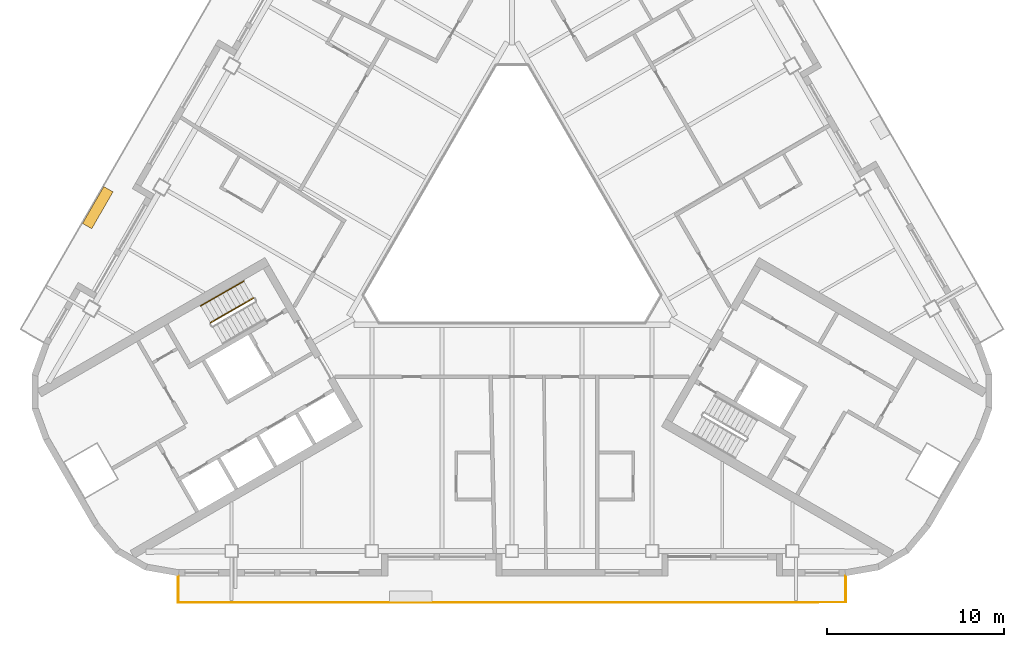
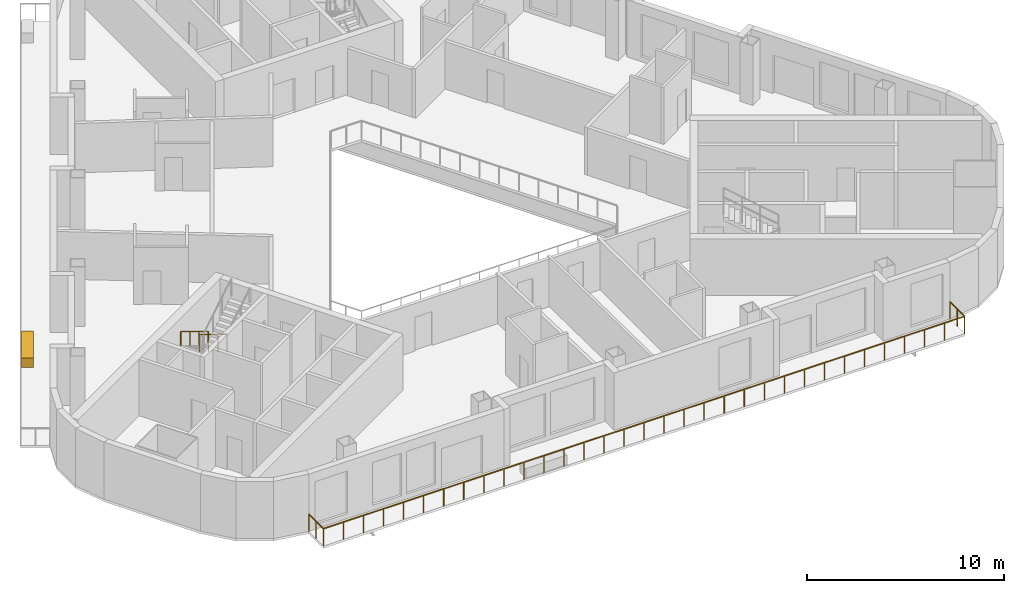
# One storey, part 9 of 13: 3 railings, 1 covering.
"""IFC4 building model written with IfcOpenShell, lengths in metres."""

import ifcopenshell
import ifcopenshell.guid

model = None  # the IFC model being written
_history = None  # IfcOwnerHistory: only IFC2X3 demands one
_inside = {}  # id of a spatial element -> (the spatial element, [elements in it])
_under = {}  # id of a project, library or spatial element -> (it, [spatial elements below it])
_declared = {}  # id of a project -> (the project, [libraries it declares])
_typed = {}  # id of a type object -> (the type object, [elements of that type])
_made_of = {}  # id of a material, layer set ... -> (it, [elements and type objects made of it])


def new_model(schema):
    """Start an empty IFC model of exactly this schema.

    Asked for "IFC4X3", IfcOpenShell would pick the latest addendum, in which some entities
    have other attributes; the version numbers below select the first issue.
    IFC2X3 requires an IfcOwnerHistory on every rooted entity: one is made here for all.
    """
    global model, _history
    if schema == "IFC4X3":
        model = ifcopenshell.file(schema_version=(4, 3, 0, 0))
    else:
        model = ifcopenshell.file(schema=schema)
    _inside.clear()
    _under.clear()
    _declared.clear()
    _typed.clear()
    _made_of.clear()
    _history = None
    if model.schema == "IFC2X3":
        org = make("IfcOrganization", Name="unknown")
        user = make(
            "IfcPersonAndOrganization",
            ThePerson=make("IfcPerson", FamilyName="unknown"),
            TheOrganization=org,
        )
        app = make(
            "IfcApplication",
            ApplicationDeveloper=org,
            Version="unknown",
            ApplicationFullName="unknown",
            ApplicationIdentifier="unknown",
        )
        _history = make(
            "IfcOwnerHistory",
            OwningUser=user,
            OwningApplication=app,
            ChangeAction="ADDED",
            CreationDate=0,
        )
    return model


def make(cls, **values):
    """One entity of the class cls with the attributes given. An attribute that is None is left unset."""
    return model.create_entity(
        cls, **{name: value for name, value in values.items() if value is not None}
    )


def rooted(cls, **values):
    """An entity with a GlobalId (a new one), such as an element, a storey or a relation."""
    return make(cls, GlobalId=ifcopenshell.guid.new(), OwnerHistory=_history, **values)


def si_unit(unit_type, name, prefix=None):
    """IfcSIUnit, for example si_unit("LENGTHUNIT", "METRE", prefix="MILLI")."""
    return make("IfcSIUnit", UnitType=unit_type, Prefix=prefix, Name=name)


def assignment(units):
    """IfcUnitAssignment: the units of a project."""
    return None if units is None else make("IfcUnitAssignment", Units=units)


def point(xyz):
    """IfcCartesianPoint."""
    return None if xyz is None else make("IfcCartesianPoint", Coordinates=xyz)


def direction(xyz):
    """IfcDirection."""
    return None if xyz is None else make("IfcDirection", DirectionRatios=xyz)


def frame(location, z_axis=None, x_axis=None):
    """IfcAxis2Placement3D, a coordinate frame: its origin and axes. An axis left out is left unset."""
    return make(
        "IfcAxis2Placement3D",
        Location=point(location),
        Axis=direction(z_axis),
        RefDirection=direction(x_axis),
    )


def frame_2d(location, x_axis=None):
    """IfcAxis2Placement2D, a coordinate frame in the plane: its origin and x axis."""
    return make(
        "IfcAxis2Placement2D", Location=point(location), RefDirection=direction(x_axis)
    )


def origin():
    """The frame at (0, 0, 0) with its axes left unset."""
    return frame((0.0, 0.0, 0.0))


def origin_2d():
    """The frame at (0, 0) in the plane with its x axis left unset."""
    return frame_2d((0.0, 0.0))


def place(relative_to, where):
    """IfcLocalPlacement: puts the frame where relative to a parent placement (None: the world)."""
    return make(
        "IfcLocalPlacement", PlacementRelTo=relative_to, RelativePlacement=where
    )


def context(
    kind, dimensions, precision=None, world=None, true_north=None, identifier=None
):
    """IfcGeometricRepresentationContext, for example the 3D "Model" context."""
    return make(
        "IfcGeometricRepresentationContext",
        ContextIdentifier=identifier,
        ContextType=kind,
        CoordinateSpaceDimension=dimensions,
        Precision=precision,
        WorldCoordinateSystem=world,
        TrueNorth=true_north,
    )


def subcontext(parent, identifier, kind, view, scale=None):
    """IfcGeometricRepresentationSubContext, for example "Body" below "Model"."""
    return make(
        "IfcGeometricRepresentationSubContext",
        ContextIdentifier=identifier,
        ContextType=kind,
        ParentContext=parent,
        TargetScale=scale,
        TargetView=view,
    )


def project(units=None, contexts=None):
    """IfcProject with its units and contexts."""
    return rooted(
        "IfcProject",
        Name="project",
        RepresentationContexts=contexts,
        UnitsInContext=assignment(units),
    )


def spatial(cls, under=None, at=None, **own):
    """A site, building, storey or space (cls), placed at a placement, below another one or the project."""
    s = rooted(cls, ObjectPlacement=at, **own)
    if under is not None:
        _under.setdefault(under.id(), (under, []))[1].append(s)
    return s


def profile(cls, at=None, kind="AREA", **sizes):
    """A parametric profile (cls). Its sizes go by their IFC names, for example OverallWidth=200.0."""
    return make(cls, ProfileType=kind, Position=at, **sizes)


def rectangle(**sizes):
    """IfcRectangleProfileDef."""
    return profile("IfcRectangleProfileDef", **sizes)


def circle(**sizes):
    """IfcCircleProfileDef."""
    return profile("IfcCircleProfileDef", **sizes)


def extrude(swept, where, along, depth):
    """IfcExtrudedAreaSolid: the profile swept, set in the frame where, extruded along a direction by depth."""
    return make(
        "IfcExtrudedAreaSolid",
        SweptArea=swept,
        Position=where,
        ExtrudedDirection=direction(along),
        Depth=depth,
    )


def shape(context_of_items, identifier, shape_type, items):
    """IfcShapeRepresentation: the items that make up one representation, for example the "Body"."""
    return make(
        "IfcShapeRepresentation",
        ContextOfItems=context_of_items,
        RepresentationIdentifier=identifier,
        RepresentationType=shape_type,
        Items=items,
    )


def material(Name=None, Category=None):
    """IfcMaterial."""
    return make("IfcMaterial", Name=Name, Category=Category)


def made_of(thing, what):
    """Note that an element or type object is made of a material, layer set ...; save() writes the relation."""
    if what is not None:
        _made_of.setdefault(what.id(), (what, []))[1].append(thing)
    return thing


def type_object(cls, material=None, **own):
    """A type object (cls), such as IfcWallType, which elements share."""
    return made_of(rooted(cls, **own), material)


def element(
    cls,
    number,
    at=None,
    inside=None,
    cuts=None,
    type_object=None,
    material=None,
    context=None,
    identifier="Body",
    shape_type=None,
    held_by="IfcProductDefinitionShape",
    body=None,
    shapes=None,
    **own,
):
    """One element of the class cls, such as IfcWall. Its Tag is "e" and its number.

    at: its placement. inside: the storey or other place that contains it. cuts: it is an
    opening in that element (IfcRelVoidsElement). A single representation is given by context,
    identifier, shape_type and body (its items); several are given by shapes. held_by: the class
    of the entity that holds the representations. save() writes the other relations.
    """
    e = rooted(cls, Tag="e%d" % number, ObjectPlacement=at, **own)
    if body is not None:
        shapes = [shape(context, identifier, shape_type, body)]
    if shapes is not None:
        e.Representation = make(held_by, Representations=shapes)
    if inside is not None:
        _inside.setdefault(inside.id(), (inside, []))[1].append(e)
    if cuts is not None:
        rooted(
            "IfcRelVoidsElement", RelatingBuildingElement=cuts, RelatedOpeningElement=e
        )
    if type_object is not None:
        _typed.setdefault(type_object.id(), (type_object, []))[1].append(e)
    return made_of(e, material)


def aggregate(whole, parts):
    """IfcRelAggregates: a whole, such as a stair, and the parts it consists of."""
    return rooted("IfcRelAggregates", RelatingObject=whole, RelatedObjects=parts)


def save(model, path):
    """Write the relations noted so far, then the file.

    IfcRelAggregates (storeys below a building ...), IfcRelContainedInSpatialStructure (elements
    in a storey), IfcRelDefinesByType, IfcRelAssociatesMaterial and IfcRelDeclares: one each for
    every whole, place, type object, material and project.
    """
    for whole, parts in _under.values():
        aggregate(whole, parts)
    for where, things in _inside.values():
        rooted(
            "IfcRelContainedInSpatialStructure",
            RelatedElements=things,
            RelatingStructure=where,
        )
    for kind, things in _typed.values():
        rooted("IfcRelDefinesByType", RelatedObjects=things, RelatingType=kind)
    for what, things in _made_of.values():
        rooted("IfcRelAssociatesMaterial", RelatedObjects=things, RelatingMaterial=what)
    for by, libraries in _declared.values():
        rooted("IfcRelDeclares", RelatingContext=by, RelatedDefinitions=libraries)
    model.write(path)


model = new_model("IFC4")

# Units and contexts
model_context = context("Model", 3, precision=1e-05, world=origin(), true_north=direction((0.0, 1.0)))
body_context = subcontext(model_context, "Body", "Model", "MODEL_VIEW")
ifc_project = project(units=[si_unit("LENGTHUNIT", "METRE"), si_unit("AREAUNIT", "SQUARE_METRE"), si_unit("VOLUMEUNIT", "CUBIC_METRE"), si_unit("PLANEANGLEUNIT", "RADIAN"), si_unit("MASSUNIT", "GRAM", prefix="KILO")], contexts=[model_context])

# Site, building, storey
site_placement = place(None, origin())
site = spatial("IfcSite", under=ifc_project, at=site_placement, CompositionType="ELEMENT")
building_placement = place(site_placement, origin())
building = spatial("IfcBuilding", under=site, at=building_placement, Name="Apuvela Tower Hotel", CompositionType="ELEMENT")
storey_placement = place(building_placement, frame((0.0, 0.0, 198.39990234375)))
storey = spatial("IfcBuildingStorey", under=building, at=storey_placement, Name="L48", CompositionType="ELEMENT", Elevation=198.39990234375)

# Railings
ifc_material_1 = material(Name="Steel S275 balustrade", Category="steel")
railing_type_1 = type_object("IfcRailingType", Name="COR-GUARD-1100", PredefinedType="GUARDRAIL", material=ifc_material_1)
railing_1_placement = place(storey_placement, frame((-14.569091796875, -3.9658203125, 0.168212890625)))
element("IfcRailing", 1, at=railing_1_placement, inside=storey, type_object=railing_type_1, Name="L48 ST2 stair guard 1", PredefinedType="GUARDRAIL", context=body_context, shape_type="SweptSolid", body=[
    extrude(rectangle(XDim=0.048095703125, YDim=0.048095703125, at=origin_2d()), frame((0.0, 0.0, 1.076171875), z_axis=(-0.742390482028, -0.42860119049, 0.514934356695), x_axis=(0.49998411664, -0.866034573852, 0.0)), (0.0, 0.0, 1.0), 3.26611328125),
    extrude(rectangle(XDim=0.0419921875, YDim=0.0419921875, at=origin_2d()), origin(), (0.0, 0.0, 1.0), 1.052001953125),
    extrude(rectangle(XDim=0.0419921875, YDim=0.0419921875, at=origin_2d()), frame((-0.808349609375, -0.466552734375, 0.560546875)), (0.0, 0.0, 1.0), 1.052001953125),
    extrude(rectangle(XDim=0.0419921875, YDim=0.0419921875, at=origin_2d()), frame((-1.616455078125, -0.933349609375, 1.121337890625)), (0.0, 0.0, 1.0), 1.052001953125),
    extrude(rectangle(XDim=0.0419921875, YDim=0.0419921875, at=origin_2d()), frame((-2.4248046875, -1.39990234375, 1.681884765625)), (0.0, 0.0, 1.0), 1.052001953125),
])
ifc_material_2 = material(Name="Stainless steel 316 handrail", Category="steel")
railing_type_2 = type_object("IfcRailingType", Name="COR-HANDRAIL-900", PredefinedType="HANDRAIL", material=ifc_material_2)
railing_2_placement = place(storey_placement, frame((-15.118896484375, -3.01318359375, 0.168212890625)))
element("IfcRailing", 2, at=railing_2_placement, inside=storey, type_object=railing_type_2, Name="L48 ST2 stair handrail 1", PredefinedType="HANDRAIL", context=body_context, shape_type="SweptSolid", body=[
    extrude(circle(Radius=0.02392578125, at=origin_2d()), frame((0.0, 0.0, 0.8759765625), z_axis=(-0.742424030051, -0.428577407461, 0.514905783049), x_axis=(0.49994636267, -0.866056369097, 0.0)), (0.0, 0.0, 1.0), 3.266357421875),
    extrude(rectangle(XDim=0.0419921875, YDim=0.0419921875, at=origin_2d()), origin(), (0.0, 0.0, 1.0), 0.851806640625),
    extrude(rectangle(XDim=0.0419921875, YDim=0.0419921875, at=origin_2d()), frame((-0.808349609375, -0.466552734375, 0.560546875)), (0.0, 0.0, 1.0), 0.851806640625),
    extrude(rectangle(XDim=0.0419921875, YDim=0.0419921875, at=origin_2d()), frame((-1.61669921875, -0.933349609375, 1.121337890625)), (0.0, 0.0, 1.0), 0.851806640625),
    extrude(rectangle(XDim=0.0419921875, YDim=0.0419921875, at=origin_2d()), frame((-2.425048828125, -1.39990234375, 1.681884765625)), (0.0, 0.0, 1.0), 0.851806640625),
])
ifc_material_3 = material(Name="Stainless steel 316 rail with laminated glass infill", Category="steel")
railing_type_3 = type_object("IfcRailingType", Name="ENV-GUARD-1100", PredefinedType="GUARDRAIL", material=ifc_material_3)
railing_3_placement = place(storey_placement, frame((-18.81591796875, -19.6298828125, 0.0)))
element("IfcRailing", 3, at=railing_3_placement, inside=storey, type_object=railing_type_3, Name="Balcony guard S L48", PredefinedType="GUARDRAIL", context=body_context, shape_type="SweptSolid", body=[
    extrude(rectangle(XDim=0.050048828125, YDim=0.050048828125, at=origin_2d()), frame((0.0, 0.0, 1.0751953125), z_axis=(0.0, -1.0, 0.0), x_axis=(1.0, 0.0, 0.0)), (0.0, 0.0, 1.0), 1.5),
    extrude(rectangle(XDim=0.050048828125, YDim=0.050048828125, at=origin_2d()), frame((0.0, -1.5, 1.0751953125), z_axis=(1.0, 0.0, 0.0), x_axis=(0.0, 1.0, 0.0)), (0.0, 0.0, 1.0), 37.6318359375),
    extrude(rectangle(XDim=0.050048828125, YDim=0.050048828125, at=origin_2d()), frame((37.6318359375, -1.5, 1.0751953125), z_axis=(0.0, 1.0, 0.0), x_axis=(-1.0, 0.0, 0.0)), (0.0, 0.0, 1.0), 1.5),
    extrude(rectangle(XDim=0.0400390625, YDim=0.0400390625, at=origin_2d()), origin(), (0.0, 0.0, 1.0), 1.050048828125),
    extrude(rectangle(XDim=0.0400390625, YDim=0.0400390625, at=origin_2d()), frame((0.0, -0.75, 0.0)), (0.0, 0.0, 1.0), 1.050048828125),
    extrude(rectangle(XDim=0.0400390625, YDim=0.0400390625, at=origin_2d()), frame((0.0, -1.5, 0.0)), (0.0, 0.0, 1.0), 1.050048828125),
    extrude(rectangle(XDim=0.0400390625, YDim=0.0400390625, at=origin_2d()), frame((1.176025390625, -1.5, 0.0)), (0.0, 0.0, 1.0), 1.050048828125),
    extrude(rectangle(XDim=0.0400390625, YDim=0.0400390625, at=origin_2d()), frame((2.35205078125, -1.5, 0.0)), (0.0, 0.0, 1.0), 1.050048828125),
    extrude(rectangle(XDim=0.0400390625, YDim=0.0400390625, at=origin_2d()), frame((3.528076171875, -1.5, 0.0)), (0.0, 0.0, 1.0), 1.050048828125),
    extrude(rectangle(XDim=0.0400390625, YDim=0.0400390625, at=origin_2d()), frame((4.7041015625, -1.5, 0.0)), (0.0, 0.0, 1.0), 1.050048828125),
    extrude(rectangle(XDim=0.0400390625, YDim=0.0400390625, at=origin_2d()), frame((5.8798828125, -1.5, 0.0)), (0.0, 0.0, 1.0), 1.050048828125),
    extrude(rectangle(XDim=0.0400390625, YDim=0.0400390625, at=origin_2d()), frame((7.055908203125, -1.5, 0.0)), (0.0, 0.0, 1.0), 1.050048828125),
    extrude(rectangle(XDim=0.0400390625, YDim=0.0400390625, at=origin_2d()), frame((8.23193359375, -1.5, 0.0)), (0.0, 0.0, 1.0), 1.050048828125),
    extrude(rectangle(XDim=0.0400390625, YDim=0.0400390625, at=origin_2d()), frame((9.407958984375, -1.5, 0.0)), (0.0, 0.0, 1.0), 1.050048828125),
    extrude(rectangle(XDim=0.0400390625, YDim=0.0400390625, at=origin_2d()), frame((10.583984375, -1.5, 0.0)), (0.0, 0.0, 1.0), 1.050048828125),
    extrude(rectangle(XDim=0.0400390625, YDim=0.0400390625, at=origin_2d()), frame((11.760009765625, -1.5, 0.0)), (0.0, 0.0, 1.0), 1.050048828125),
    extrude(rectangle(XDim=0.0400390625, YDim=0.0400390625, at=origin_2d()), frame((12.93603515625, -1.5, 0.0)), (0.0, 0.0, 1.0), 1.050048828125),
    extrude(rectangle(XDim=0.0400390625, YDim=0.0400390625, at=origin_2d()), frame((14.11181640625, -1.5, 0.0)), (0.0, 0.0, 1.0), 1.050048828125),
    extrude(rectangle(XDim=0.0400390625, YDim=0.0400390625, at=origin_2d()), frame((15.287841796875, -1.5, 0.0)), (0.0, 0.0, 1.0), 1.050048828125),
    extrude(rectangle(XDim=0.0400390625, YDim=0.0400390625, at=origin_2d()), frame((16.4638671875, -1.5, 0.0)), (0.0, 0.0, 1.0), 1.050048828125),
    extrude(rectangle(XDim=0.0400390625, YDim=0.0400390625, at=origin_2d()), frame((17.639892578125, -1.5, 0.0)), (0.0, 0.0, 1.0), 1.050048828125),
    extrude(rectangle(XDim=0.0400390625, YDim=0.0400390625, at=origin_2d()), frame((18.81591796875, -1.5, 0.0)), (0.0, 0.0, 1.0), 1.050048828125),
    extrude(rectangle(XDim=0.0400390625, YDim=0.0400390625, at=origin_2d()), frame((19.991943359375, -1.5, 0.0)), (0.0, 0.0, 1.0), 1.050048828125),
    extrude(rectangle(XDim=0.0400390625, YDim=0.0400390625, at=origin_2d()), frame((21.16796875, -1.5, 0.0)), (0.0, 0.0, 1.0), 1.050048828125),
    extrude(rectangle(XDim=0.0400390625, YDim=0.0400390625, at=origin_2d()), frame((22.343994140625, -1.5, 0.0)), (0.0, 0.0, 1.0), 1.050048828125),
    extrude(rectangle(XDim=0.0400390625, YDim=0.0400390625, at=origin_2d()), frame((23.52001953125, -1.5, 0.0)), (0.0, 0.0, 1.0), 1.050048828125),
    extrude(rectangle(XDim=0.0400390625, YDim=0.0400390625, at=origin_2d()), frame((24.69580078125, -1.5, 0.0)), (0.0, 0.0, 1.0), 1.050048828125),
    extrude(rectangle(XDim=0.0400390625, YDim=0.0400390625, at=origin_2d()), frame((25.871826171875, -1.5, 0.0)), (0.0, 0.0, 1.0), 1.050048828125),
    extrude(rectangle(XDim=0.0400390625, YDim=0.0400390625, at=origin_2d()), frame((27.0478515625, -1.5, 0.0)), (0.0, 0.0, 1.0), 1.050048828125),
    extrude(rectangle(XDim=0.0400390625, YDim=0.0400390625, at=origin_2d()), frame((28.223876953125, -1.5, 0.0)), (0.0, 0.0, 1.0), 1.050048828125),
    extrude(rectangle(XDim=0.0400390625, YDim=0.0400390625, at=origin_2d()), frame((29.39990234375, -1.5, 0.0)), (0.0, 0.0, 1.0), 1.050048828125),
    extrude(rectangle(XDim=0.0400390625, YDim=0.0400390625, at=origin_2d()), frame((30.575927734375, -1.5, 0.0)), (0.0, 0.0, 1.0), 1.050048828125),
    extrude(rectangle(XDim=0.0400390625, YDim=0.0400390625, at=origin_2d()), frame((31.751953125, -1.5, 0.0)), (0.0, 0.0, 1.0), 1.050048828125),
    extrude(rectangle(XDim=0.0400390625, YDim=0.0400390625, at=origin_2d()), frame((32.927734375, -1.5, 0.0)), (0.0, 0.0, 1.0), 1.050048828125),
    extrude(rectangle(XDim=0.0400390625, YDim=0.0400390625, at=origin_2d()), frame((34.103759765625, -1.5, 0.0)), (0.0, 0.0, 1.0), 1.050048828125),
    extrude(rectangle(XDim=0.0400390625, YDim=0.0400390625, at=origin_2d()), frame((35.27978515625, -1.5, 0.0)), (0.0, 0.0, 1.0), 1.050048828125),
    extrude(rectangle(XDim=0.0400390625, YDim=0.0400390625, at=origin_2d()), frame((36.455810546875, -1.5, 0.0)), (0.0, 0.0, 1.0), 1.050048828125),
    extrude(rectangle(XDim=0.0400390625, YDim=0.0400390625, at=origin_2d()), frame((37.6318359375, -1.5, 0.0)), (0.0, 0.0, 1.0), 1.050048828125),
    extrude(rectangle(XDim=0.0400390625, YDim=0.0400390625, at=origin_2d()), frame((37.6318359375, -0.75, 0.0)), (0.0, 0.0, 1.0), 1.050048828125),
    extrude(rectangle(XDim=0.0400390625, YDim=0.0400390625, at=origin_2d()), frame((37.6318359375, 0.0, 0.0)), (0.0, 0.0, 1.0), 1.050048828125),
])

# Covering
ifc_material_4 = material(Name="Planting substrate and soil, planted")
covering_type = type_object("IfcCoveringType", Name="ENV-PLANTER-2400x600", PredefinedType="USERDEFINED", material=ifc_material_4)
covering_placement = place(storey_placement, frame((-23.345947265625, 1.12353515625, 0.0), z_axis=(0.0, 0.0, 1.0), x_axis=(-0.5, -0.866025403784, 0.0)))
element("IfcCovering", 4, at=covering_placement, inside=storey, type_object=covering_type, Name="Planter NW5", ObjectType="PLANTER", PredefinedType="USERDEFINED", context=body_context, shape_type="SweptSolid", body=[
    extrude(rectangle(XDim=2.39990234375, YDim=0.60009765625, at=origin_2d()), origin(), (0.0, 0.0, 1.0), 0.60009765625),
])

save(model, "model.ifc")
